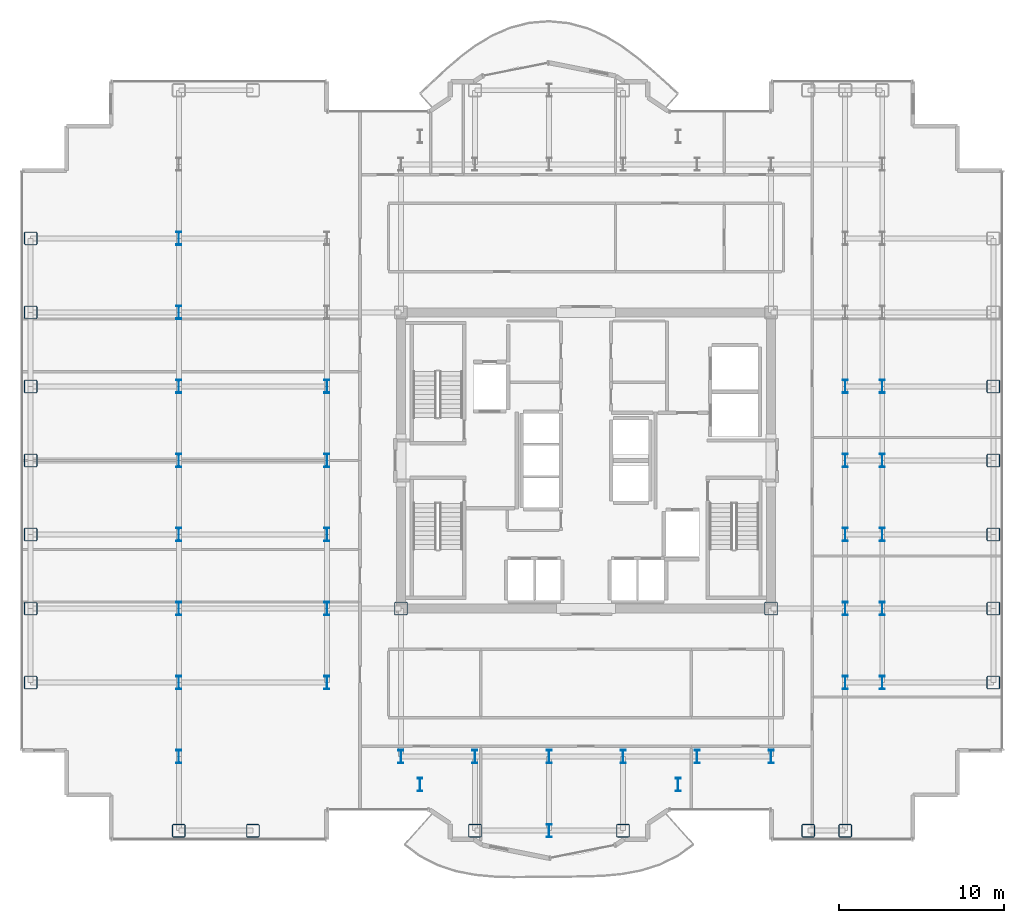
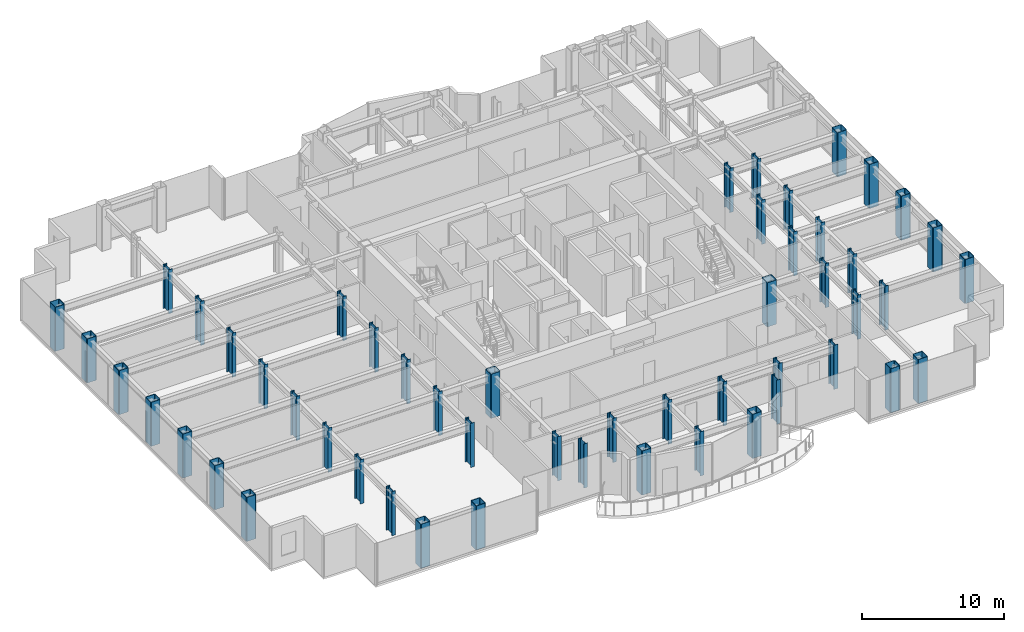
# One storey, part 1 of 22: 52 columns.
"""IFC4 building model written with IfcOpenShell, lengths in metres."""

from ifc_helpers import new_model, si_unit, direction, frame, origin, origin_2d, place, context, subcontext, project, spatial, hollow_rectangle, i_section, extrude, source, transform, mapped, material, material_profile, profile_set, type_object, element, save


model = new_model("IFC4")

# Units and contexts
model_context = context("Model", 3, precision=1e-05, world=origin(), true_north=direction((0.0, 1.0)))
body_context = subcontext(model_context, "Body", "Model", "MODEL_VIEW")
ifc_project = project(units=[si_unit("LENGTHUNIT", "METRE"), si_unit("AREAUNIT", "SQUARE_METRE"), si_unit("VOLUMEUNIT", "CUBIC_METRE"), si_unit("PLANEANGLEUNIT", "RADIAN"), si_unit("MASSUNIT", "GRAM", prefix="KILO")], contexts=[model_context])

# Site, building, storey
site_placement = place(None, origin())
site = spatial("IfcSite", under=ifc_project, at=site_placement, CompositionType="ELEMENT")
building_placement = place(site_placement, origin())
building = spatial("IfcBuilding", under=site, at=building_placement, Name="Nefas-Gora Pilgrimage Tower", CompositionType="ELEMENT")
storey_placement = place(building_placement, frame((0.0, 0.0, 186.800048828125)))
storey = spatial("IfcBuildingStorey", under=building, at=storey_placement, Name="L46", CompositionType="ELEMENT", Elevation=186.800048828125)

# Columns
ifc_material = material(Name="Steel S460", Category="steel")
ifc_material_profile_1 = material_profile(ifc_material, hollow_rectangle(XDim=0.800048828125, YDim=0.800048828125, WallThickness=0.0400390625, InnerFilletRadius=0.0400390625, OuterFilletRadius=0.080078125, at=origin_2d()), Name="BOX 800x800x40")
ifc_profile_set_1 = profile_set([ifc_material_profile_1], Name="Steel S460")
column_type_1 = type_object("IfcColumnType", Name="COL-TUBE-800", PredefinedType="COLUMN", material=ifc_profile_set_1)
shared_shape_1 = source(origin(), body_context, "Body", "SweptSolid", [
    extrude(hollow_rectangle(XDim=0.800048828125, YDim=0.800048828125, WallThickness=0.0400390625, InnerFilletRadius=0.0400390625, OuterFilletRadius=0.080078125, at=origin_2d()), origin(), (0.0, 0.0, 1.0), 3.800048828125),
])
for number, where, z_axis, x_axis, name in (
    (1, (-33.75, -13.5, 0.0), (0.0, 0.0, 1.0), (1.0, 0.0, 0.0), "L46 Tower Column C-Z2.1"),
    (2, (-33.75, -9.0, 0.0), (0.0, 0.0, 1.0), (1.0, 0.0, 0.0), "L46 Tower Column C-Z2.2"),
    (3, (-33.75, -4.5, 0.0), (0.0, 0.0, 1.0), (1.0, 0.0, 0.0), "L46 Tower Column C-Z2.3"),
    (4, (-33.75, 0.0, 0.0), (0.0, 0.0, 1.0), (1.0, 0.0, 0.0), "L46 Tower Column C-Z2.4"),
    (5, (-33.75, 4.5, 0.0), (0.0, 0.0, 1.0), (1.0, 0.0, 0.0), "L46 Tower Column C-Z2.5"),
    (6, (-33.75, 9.0, 0.0), (0.0, 0.0, 1.0), (1.0, 0.0, 0.0), "L46 Tower Column C-Z2.6"),
    (7, (-33.75, 13.5, 0.0), (0.0, 0.0, 1.0), (1.0, 0.0, 0.0), "L46 Tower Column C-Z2.7"),
    (8, (-24.75, -22.5, 0.0), (0.0, 0.0, 1.0), (1.0, 0.0, 0.0), "L46 Tower Column C-Z2.8"),
    (9, (-20.25, -22.5, 0.0), (0.0, 0.0, 1.0), (1.0, 0.0, 0.0), "L46 Tower Column C-Z2.19"),
    (10, (-6.75, -22.5, 0.0), (0.0, 0.0, 1.0), (1.0, 0.0, 0.0), "L46 Tower Column C-Z2.34"),
    (11, (2.25, -22.5, 0.0), (0.0, 0.0, 1.0), (1.0, 0.0, 0.0), "L46 Tower Column C-Z2.42"),
    (12, (13.5, -22.5, 0.0), (0.0, 0.0, 1.0), (1.0, 0.0, 0.0), "L46 Tower Column C-Z2.54"),
    (13, (15.75, -22.5, 0.0), (0.0, 0.0, 1.0), (1.0, 0.0, 0.0), "L46 Tower Column C-Z2.56"),
    (14, (24.75, -13.5, 0.0), (0.0, 0.0, 1.0), (1.0, 0.0, 0.0), "L46 Tower Column C-Z2.74"),
    (15, (24.75, -9.0, 0.0), (0.0, 0.0, 1.0), (1.0, 0.0, 0.0), "L46 Tower Column C-Z2.75"),
    (16, (24.75, -4.5, 0.0), (0.0, 0.0, 1.0), (1.0, 0.0, 0.0), "L46 Tower Column C-Z2.76"),
    (17, (24.75, 0.0, 0.0), (0.0, 0.0, 1.0), (1.0, 0.0, 0.0), "L46 Tower Column C-Z2.77"),
    (18, (24.75, 4.5, 0.0), (0.0, 0.0, 1.0), (1.0, 0.0, 0.0), "L46 Tower Column C-Z2.78"),
):
    element("IfcColumn", number, at=place(storey_placement, frame(where, z_axis=z_axis, x_axis=x_axis)), inside=storey, type_object=column_type_1, Name=name, PredefinedType="COLUMN", context=body_context, shape_type="MappedRepresentation", body=[
        mapped(shared_shape_1, transform((0.0, 0.0, 0.0), x_axis=(1.0, 0.0, 0.0), y_axis=(0.0, 1.0, 0.0), z_axis=(0.0, 0.0, 1.0), scale=1.0)),
    ])
ifc_material_profile_2 = material_profile(ifc_material, i_section(OverallWidth=0.302978515625, OverallDepth=0.81396484375, WebThickness=0.02099609375, FlangeThickness=0.0400390625, FilletRadius=0.030029296875, at=origin_2d()), Name="HEM 800")
ifc_profile_set_2 = profile_set([ifc_material_profile_2], Name="Steel S460")
column_type_2 = type_object("IfcColumnType", Name="COL-WEB-HEM800", PredefinedType="COLUMN", material=ifc_profile_set_2)
shared_shape_2 = source(origin(), body_context, "Body", "SweptSolid", [
    extrude(i_section(OverallWidth=0.302978515625, OverallDepth=0.81396484375, WebThickness=0.02099609375, FlangeThickness=0.0400390625, FilletRadius=0.030029296875, at=origin_2d()), origin(), (0.0, 0.0, 1.0), 3.800048828125),
])
for number, where, z_axis, x_axis, name in (
    (19, (-24.75, -18.0, 0.0), (0.0, 0.0, 1.0), (1.0, 0.0, 0.0), "L46 Tower Column CW-02.9"),
    (20, (-24.75, -13.5, 0.0), (0.0, 0.0, 1.0), (1.0, 0.0, 0.0), "L46 Tower Column CW-02.10"),
    (21, (-24.75, -9.0, 0.0), (0.0, 0.0, 1.0), (1.0, 0.0, 0.0), "L46 Tower Column CW-02.11"),
    (22, (-24.75, -4.5, 0.0), (0.0, 0.0, 1.0), (1.0, 0.0, 0.0), "L46 Tower Column CW-02.12"),
    (23, (-24.75, 0.0, 0.0), (0.0, 0.0, 1.0), (1.0, 0.0, 0.0), "L46 Tower Column CW-02.13"),
    (24, (-24.75, 4.5, 0.0), (0.0, 0.0, 1.0), (1.0, 0.0, 0.0), "L46 Tower Column CW-02.14"),
    (25, (-24.75, 9.0, 0.0), (0.0, 0.0, 1.0), (1.0, 0.0, 0.0), "L46 Tower Column CW-02.15"),
    (26, (-24.75, 13.5, 0.0), (0.0, 0.0, 1.0), (1.0, 0.0, 0.0), "L46 Tower Column CW-02.16"),
    (27, (-15.75, -13.5, 0.0), (0.0, 0.0, 1.0), (1.0, 0.0, 0.0), "L46 Tower Column CW-02.21"),
    (28, (-15.75, -9.0, 0.0), (0.0, 0.0, 1.0), (1.0, 0.0, 0.0), "L46 Tower Column CW-02.22"),
    (29, (-15.75, -4.5, 0.0), (0.0, 0.0, 1.0), (1.0, 0.0, 0.0), "L46 Tower Column CW-02.23"),
    (30, (-15.75, 0.0, 0.0), (0.0, 0.0, 1.0), (1.0, 0.0, 0.0), "L46 Tower Column CW-02.24"),
    (31, (-15.75, 4.5, 0.0), (0.0, 0.0, 1.0), (1.0, 0.0, 0.0), "L46 Tower Column CW-02.25"),
    (32, (-11.25, -18.0, 0.0), (0.0, 0.0, 1.0), (1.0, 0.0, 0.0), "L46 Tower Column CW-02.28"),
    (33, (-10.091064453125, -19.696044921875, 0.0), (0.0, 0.0, 1.0), (1.0, 0.0, 0.0), "L46 Tower Column CW-02.32"),
    (34, (-6.75, -18.0, 0.0), (0.0, 0.0, 1.0), (1.0, 0.0, 0.0), "L46 Tower Column CW-02.35"),
    (35, (-2.25, -22.5, 0.0), (0.0, 0.0, 1.0), (1.0, 0.0, 0.0), "L46 Tower Column CW-02.38"),
    (36, (-2.25, -18.0, 0.0), (0.0, 0.0, 1.0), (1.0, 0.0, 0.0), "L46 Tower Column CW-02.39"),
    (37, (2.25, -18.0, 0.0), (0.0, 0.0, 1.0), (1.0, 0.0, 0.0), "L46 Tower Column CW-02.43"),
    (38, (5.591064453125, -19.696044921875, 0.0), (0.0, 0.0, 1.0), (1.0, 0.0, 0.0), "L46 Tower Column CW-02.46"),
    (39, (6.75, -18.0, 0.0), (0.0, 0.0, 1.0), (1.0, 0.0, 0.0), "L46 Tower Column CW-02.48"),
    (40, (11.25, -18.0, 0.0), (0.0, 0.0, 1.0), (1.0, 0.0, 0.0), "L46 Tower Column CW-02.50"),
    (41, (15.75, -13.5, 0.0), (0.0, 0.0, 1.0), (1.0, 0.0, 0.0), "L46 Tower Column CW-02.57"),
    (42, (15.75, -9.0, 0.0), (0.0, 0.0, 1.0), (1.0, 0.0, 0.0), "L46 Tower Column CW-02.58"),
    (43, (15.75, -4.5, 0.0), (0.0, 0.0, 1.0), (1.0, 0.0, 0.0), "L46 Tower Column CW-02.59"),
    (44, (15.75, 0.0, 0.0), (0.0, 0.0, 1.0), (1.0, 0.0, 0.0), "L46 Tower Column CW-02.60"),
    (45, (15.75, 4.5, 0.0), (0.0, 0.0, 1.0), (1.0, 0.0, 0.0), "L46 Tower Column CW-02.61"),
    (46, (18.0, -13.5, 0.0), (0.0, 0.0, 1.0), (1.0, 0.0, 0.0), "L46 Tower Column CW-02.65"),
    (47, (18.0, -9.0, 0.0), (0.0, 0.0, 1.0), (1.0, 0.0, 0.0), "L46 Tower Column CW-02.66"),
    (48, (18.0, -4.5, 0.0), (0.0, 0.0, 1.0), (1.0, 0.0, 0.0), "L46 Tower Column CW-02.67"),
    (49, (18.0, 0.0, 0.0), (0.0, 0.0, 1.0), (1.0, 0.0, 0.0), "L46 Tower Column CW-02.68"),
    (50, (18.0, 4.5, 0.0), (0.0, 0.0, 1.0), (1.0, 0.0, 0.0), "L46 Tower Column CW-02.69"),
):
    element("IfcColumn", number, at=place(storey_placement, frame(where, z_axis=z_axis, x_axis=x_axis)), inside=storey, type_object=column_type_2, Name=name, PredefinedType="COLUMN", context=body_context, shape_type="MappedRepresentation", body=[
        mapped(shared_shape_2, transform((0.0, 0.0, 0.0), x_axis=(1.0, 0.0, 0.0), y_axis=(0.0, 1.0, 0.0), z_axis=(0.0, 0.0, 1.0), scale=1.0)),
    ])
ifc_material_profile_3 = material_profile(ifc_material, hollow_rectangle(XDim=0.800048828125, YDim=0.800048828125, WallThickness=0.0400390625, InnerFilletRadius=0.0400390625, OuterFilletRadius=0.080078125, at=origin_2d()), Name="BOX 800x800x40")
ifc_profile_set_3 = profile_set([ifc_material_profile_3], Name="Steel S460")
column_type_3 = type_object("IfcColumnType", Name="COL-CORE-800", PredefinedType="COLUMN", material=ifc_profile_set_3)
shared_shape_3 = source(origin(), body_context, "Body", "SweptSolid", [
    extrude(hollow_rectangle(XDim=0.800048828125, YDim=0.800048828125, WallThickness=0.0400390625, InnerFilletRadius=0.0400390625, OuterFilletRadius=0.080078125, at=origin_2d()), origin(), (0.0, 0.0, 1.0), 3.800048828125),
])
for number, where, z_axis, x_axis, name in (
    (51, (-11.25, -9.0, 0.0), (0.0, 0.0, 1.0), (1.0, 0.0, 0.0), "L46 Tower Column CC-Z2.29"),
    (52, (11.25, -9.0, 0.0), (0.0, 0.0, 1.0), (1.0, 0.0, 0.0), "L46 Tower Column CC-Z2.51"),
):
    element("IfcColumn", number, at=place(storey_placement, frame(where, z_axis=z_axis, x_axis=x_axis)), inside=storey, type_object=column_type_3, Name=name, PredefinedType="COLUMN", context=body_context, shape_type="MappedRepresentation", body=[
        mapped(shared_shape_3, transform((0.0, 0.0, 0.0), x_axis=(1.0, 0.0, 0.0), y_axis=(0.0, 1.0, 0.0), z_axis=(0.0, 0.0, 1.0), scale=1.0)),
    ])

save(model, "model.ifc")
